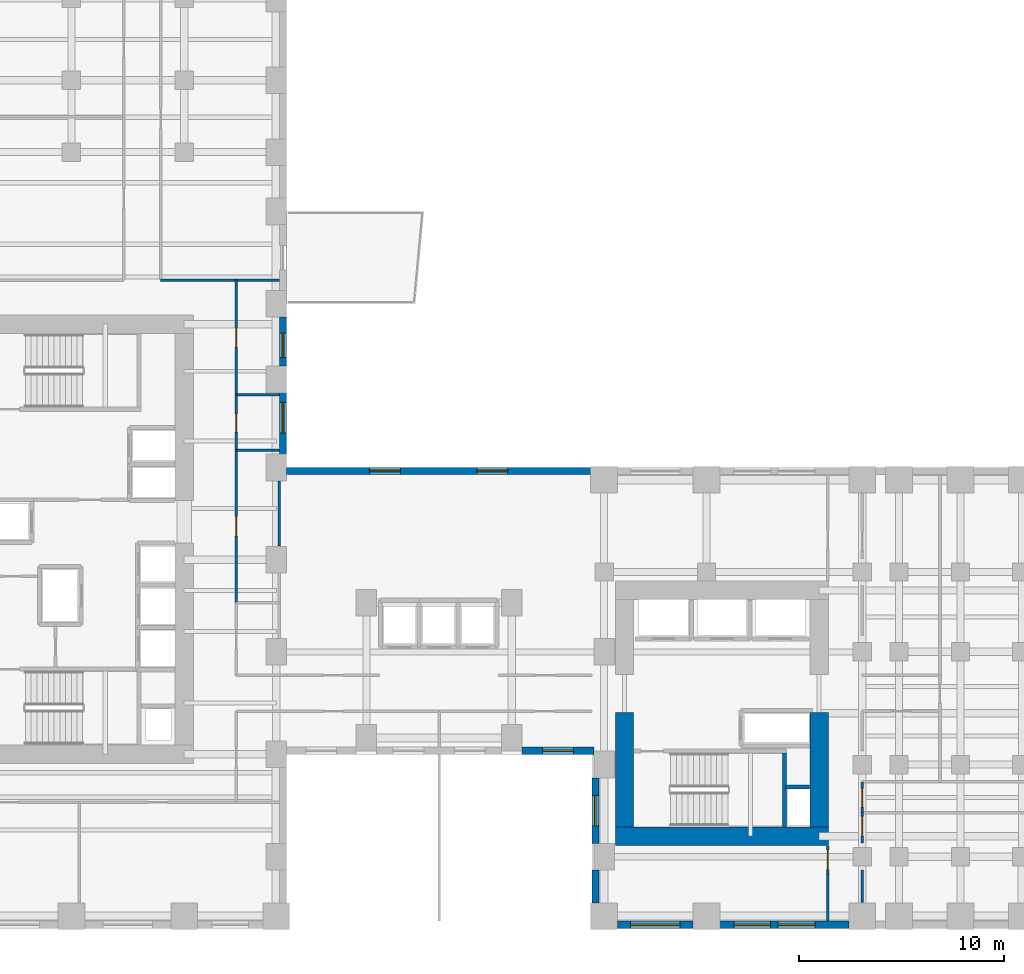
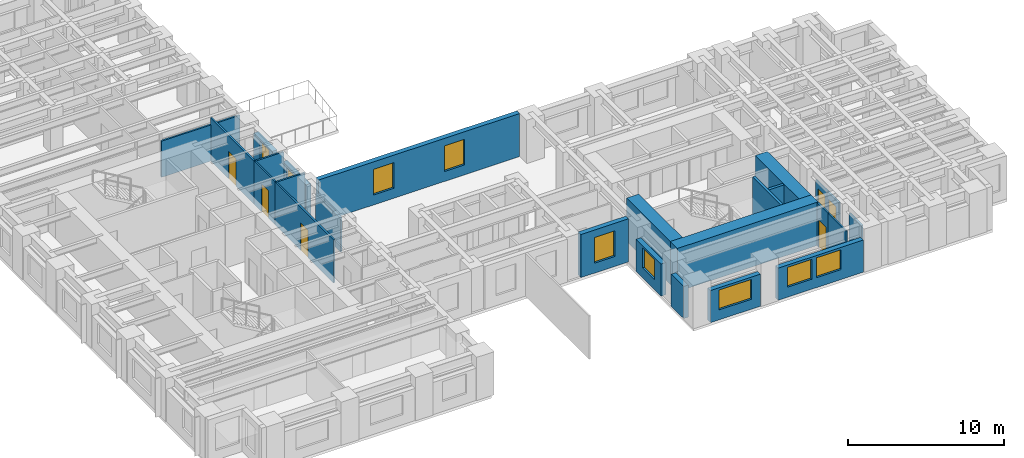
# One storey, part 6 of 11: 25 walls, 9 windows, 6 doors, 15 openings.
"""IFC4 building model written with IfcOpenShell, lengths in metres."""

from ifc_helpers import new_model, si_unit, direction, frame, frame_2d, origin, place, context, subcontext, project, spatial, rectangle, extrude, source, transform, mapped, material, layer, layer_set, type_object, element, fill, save


model = new_model("IFC4")

# Units and contexts
model_context = context("Model", 3, precision=1e-05, world=origin(), true_north=direction((0.0, 1.0)))
body_context = subcontext(model_context, "Body", "Model", "MODEL_VIEW")
ifc_project = project(units=[si_unit("LENGTHUNIT", "METRE"), si_unit("AREAUNIT", "SQUARE_METRE"), si_unit("VOLUMEUNIT", "CUBIC_METRE"), si_unit("PLANEANGLEUNIT", "RADIAN"), si_unit("MASSUNIT", "GRAM", prefix="KILO")], contexts=[model_context])

# Site, building, storey
site_placement = place(None, origin())
site = spatial("IfcSite", under=ifc_project, at=site_placement, CompositionType="ELEMENT")
building_placement = place(site_placement, origin())
building = spatial("IfcBuilding", under=site, at=building_placement, Name="Kharzan Plaza Tower", CompositionType="ELEMENT")
storey_placement = place(building_placement, frame((0.0, 0.0, 40.5)))
storey = spatial("IfcBuildingStorey", under=building, at=storey_placement, Name="L10", CompositionType="ELEMENT", Elevation=40.5)

# Wall, opening, window
ifc_material_1 = material(Name="Concrete C40/50", Category="concrete")
ifc_layer_1 = layer(ifc_material_1, 0.35009765625)
ifc_layer_set_1 = layer_set([ifc_layer_1], Name="Concrete C40/50")
wall_type_1 = type_object("IfcWallType", Name="WL-EXT-MAS-Z1", PredefinedType="SOLIDWALL", material=ifc_layer_set_1)
wall_1_placement = place(storey_placement, frame((30.998046875, 8.675048828125, 0.0), z_axis=(0.0, 0.0, 1.0), x_axis=(1.0, 0.0, 0.0)))
wall_1 = element("IfcWall", 1, at=wall_1_placement, inside=storey, type_object=wall_type_1, Name="L10 Masonry-Frame Exterior Wall 30", PredefinedType="SOLIDWALL", context=body_context, shape_type="SweptSolid", body=[
    extrude(rectangle(XDim=3.50390625, YDim=0.35009765625, at=frame_2d((1.751953125, 0.0))), origin(), (0.0, 0.0, 1.0), 3.364990234375),
])
opening_1_placement = place(wall_1_placement, frame((1.001953125, 0.0, 0.780029296875)))
opening_1 = element("IfcOpeningElement", 2, at=opening_1_placement, cuts=wall_1, Name="Opening W5", PredefinedType="OPENING", context=body_context, shape_type="SweptSolid", body=[
    extrude(rectangle(XDim=1.5, YDim=2.0, at=frame_2d((0.75, 1.0))), frame((0.0, 0.18505859375, 0.0), z_axis=(0.0, -1.0, 0.0), x_axis=(1.0, 0.0, 0.0)), (0.0, 0.0, 1.0), 0.3701171875),
])
ifc_material_2 = material(Name="Low-E Double Glazing", Category="glass")
window_type_1 = type_object("IfcWindowType", Name="WN-SLT-1500x2000", PartitioningType="SINGLE_PANEL", PredefinedType="WINDOW", material=ifc_material_2)
shared_shape_1 = source(origin(), body_context, "Body", "SweptSolid", [
    extrude(rectangle(XDim=1.5, YDim=2.0, at=frame_2d((0.75, 1.0))), frame((0.0, 0.030029296875, 0.0), z_axis=(0.0, -1.0, 0.0), x_axis=(1.0, 0.0, 0.0)), (0.0, 0.0, 1.0), 0.06005859375),
])
window_1_placement = place(opening_1_placement, origin())
window_1 = element("IfcWindow", 3, at=window_1_placement, inside=storey, type_object=window_type_1, Name="L10 Recessed Solar-Control Window 30-1", OverallHeight=2.0, OverallWidth=1.5, PartitioningType="SINGLE_PANEL", PredefinedType="WINDOW", context=body_context, shape_type="MappedRepresentation", body=[
    mapped(shared_shape_1, transform((0.0, 0.0, 0.0), x_axis=(1.0, 0.0, 0.0), y_axis=(0.0, 1.0, 0.0), z_axis=(0.0, 0.0, 1.0))),
])
fill(opening_1, window_1)

wall_2_placement = place(storey_placement, frame((34.574951171875, 7.35205078125, 0.0), z_axis=(0.0, 0.0, 1.0), x_axis=(0.0, -1.0, 0.0)))
wall_2 = element("IfcWall", 4, at=wall_2_placement, inside=storey, type_object=wall_type_1, Name="L10 Masonry-Frame Exterior Wall 31", PredefinedType="SOLIDWALL", context=body_context, shape_type="SweptSolid", body=[
    extrude(rectangle(XDim=3.2041015625, YDim=0.35009765625, at=frame_2d((1.60205078125, 0.0))), origin(), (0.0, 0.0, 1.0), 2.510009765625),
])
opening_2_placement = place(wall_2_placement, frame((0.85205078125, 0.0, 0.780029296875)))
opening_2 = element("IfcOpeningElement", 5, at=opening_2_placement, cuts=wall_2, Name="Opening W5", PredefinedType="OPENING", context=body_context, shape_type="SweptSolid", body=[
    extrude(rectangle(XDim=1.5, YDim=1.550048828125, at=frame_2d((0.75, 0.77490234375))), frame((0.0, 0.18505859375, 0.0), z_axis=(0.0, -1.0, 0.0), x_axis=(1.0, 0.0, 0.0)), (0.0, 0.0, 1.0), 0.3701171875),
])
shared_shape_2 = source(origin(), body_context, "Body", "SweptSolid", [
    extrude(rectangle(XDim=1.5, YDim=1.550048828125, at=frame_2d((0.75, 0.77490234375))), frame((0.0, 0.030029296875, 0.0), z_axis=(0.0, -1.0, 0.0), x_axis=(1.0, 0.0, 0.0)), (0.0, 0.0, 1.0), 0.06005859375),
])
window_2_placement = place(opening_2_placement, origin())
window_2 = element("IfcWindow", 6, at=window_2_placement, inside=storey, type_object=window_type_1, Name="L10 Recessed Solar-Control Window 31-1", OverallHeight=1.550048828125, OverallWidth=1.5, PartitioningType="SINGLE_PANEL", PredefinedType="WINDOW", context=body_context, shape_type="MappedRepresentation", body=[
    mapped(shared_shape_2, transform((0.0, 0.0, 0.0), x_axis=(1.0, 0.0, 0.0), y_axis=(0.0, 1.0, 0.0), z_axis=(0.0, 0.0, 1.0))),
])
fill(opening_2, window_2)

wall_3_placement = place(storey_placement, frame((35.64794921875, 0.175048828125, 0.0), z_axis=(0.0, 0.0, 1.0), x_axis=(1.0, 0.0, 0.0)))
wall_3 = element("IfcWall", 7, at=wall_3_placement, inside=storey, type_object=wall_type_1, Name="L10 Masonry-Frame Exterior Wall 33", PredefinedType="SOLIDWALL", context=body_context, shape_type="SweptSolid", body=[
    extrude(rectangle(XDim=3.7041015625, YDim=0.35009765625, at=frame_2d((1.85205078125, 0.0))), origin(), (0.0, 0.0, 1.0), 2.510009765625),
])
opening_3_placement = place(wall_3_placement, frame((0.652099609375, 0.0, 0.780029296875)))
opening_3 = element("IfcOpeningElement", 8, at=opening_3_placement, cuts=wall_3, Name="Opening W2", PredefinedType="OPENING", context=body_context, shape_type="SweptSolid", body=[
    extrude(rectangle(XDim=2.39990234375, YDim=1.550048828125, at=frame_2d((1.199951171875, 0.77490234375))), frame((0.0, 0.18505859375, 0.0), z_axis=(0.0, -1.0, 0.0), x_axis=(1.0, 0.0, 0.0)), (0.0, 0.0, 1.0), 0.3701171875),
])
window_type_2 = type_object("IfcWindowType", Name="WN-REC-2400x2100", PartitioningType="SINGLE_PANEL", PredefinedType="WINDOW", material=ifc_material_2)
shared_shape_3 = source(origin(), body_context, "Body", "SweptSolid", [
    extrude(rectangle(XDim=2.39990234375, YDim=1.550048828125, at=frame_2d((1.199951171875, 0.77490234375))), frame((0.0, 0.030029296875, 0.0), z_axis=(0.0, -1.0, 0.0), x_axis=(1.0, 0.0, 0.0)), (0.0, 0.0, 1.0), 0.06005859375),
])
window_3_placement = place(opening_3_placement, origin())
window_3 = element("IfcWindow", 9, at=window_3_placement, inside=storey, type_object=window_type_2, Name="L10 Wide Recessed Solar-Control Window 33-1", OverallHeight=1.550048828125, OverallWidth=2.39990234375, PartitioningType="SINGLE_PANEL", PredefinedType="WINDOW", context=body_context, shape_type="MappedRepresentation", body=[
    mapped(shared_shape_3, transform((0.0, 0.0, 0.0), x_axis=(1.0, 0.0, 0.0), y_axis=(0.0, 1.0, 0.0), z_axis=(0.0, 0.0, 1.0))),
])
fill(opening_3, window_3)

# Wall, openings, windows
wall_4_placement = place(storey_placement, frame((40.64794921875, 0.175048828125, 0.0), z_axis=(0.0, 0.0, 1.0), x_axis=(1.0, 0.0, 0.0)))
wall_4 = element("IfcWall", 10, at=wall_4_placement, inside=storey, type_object=wall_type_1, Name="L10 Masonry-Frame Exterior Wall 34", PredefinedType="SOLIDWALL", context=body_context, shape_type="SweptSolid", body=[
    extrude(rectangle(XDim=6.303955078125, YDim=0.35009765625, at=frame_2d((3.15185546875, 0.0))), origin(), (0.0, 0.0, 1.0), 2.510009765625),
])
opening_4_placement = place(wall_4_placement, frame((0.687255859375, 0.0, 0.780029296875)))
opening_4 = element("IfcOpeningElement", 11, at=opening_4_placement, cuts=wall_4, Name="Opening W1", PredefinedType="OPENING", context=body_context, shape_type="SweptSolid", body=[
    extrude(rectangle(XDim=1.800048828125, YDim=1.550048828125, at=frame_2d((0.89990234375, 0.77490234375))), frame((0.0, 0.18505859375, 0.0), z_axis=(0.0, -1.0, 0.0), x_axis=(1.0, 0.0, 0.0)), (0.0, 0.0, 1.0), 0.3701171875),
])
opening_5_placement = place(wall_4_placement, frame((2.854736328125, 0.0, 0.780029296875)))
opening_5 = element("IfcOpeningElement", 12, at=opening_5_placement, cuts=wall_4, Name="Opening W1", PredefinedType="OPENING", context=body_context, shape_type="SweptSolid", body=[
    extrude(rectangle(XDim=1.800048828125, YDim=1.550048828125, at=frame_2d((0.89990234375, 0.77490234375))), frame((0.0, 0.18505859375, 0.0), z_axis=(0.0, -1.0, 0.0), x_axis=(1.0, 0.0, 0.0)), (0.0, 0.0, 1.0), 0.3701171875),
])
window_type_3 = type_object("IfcWindowType", Name="WN-REC-1800x2100", PartitioningType="SINGLE_PANEL", PredefinedType="WINDOW", material=ifc_material_2)
shared_shape_4 = source(origin(), body_context, "Body", "SweptSolid", [
    extrude(rectangle(XDim=1.800048828125, YDim=1.550048828125, at=frame_2d((0.89990234375, 0.77490234375))), frame((0.0, 0.030029296875, 0.0), z_axis=(0.0, -1.0, 0.0), x_axis=(1.0, 0.0, 0.0)), (0.0, 0.0, 1.0), 0.06005859375),
])
window_4_placement = place(opening_4_placement, origin())
window_4 = element("IfcWindow", 13, at=window_4_placement, inside=storey, type_object=window_type_3, Name="L10 Recessed Solar-Control Window 34-1", OverallHeight=1.550048828125, OverallWidth=1.800048828125, PartitioningType="SINGLE_PANEL", PredefinedType="WINDOW", context=body_context, shape_type="MappedRepresentation", body=[
    mapped(shared_shape_4, transform((0.0, 0.0, 0.0), x_axis=(1.0, 0.0, 0.0), y_axis=(0.0, 1.0, 0.0), z_axis=(0.0, 0.0, 1.0))),
])
fill(opening_4, window_4)
window_5_placement = place(opening_5_placement, origin())
window_5 = element("IfcWindow", 14, at=window_5_placement, inside=storey, type_object=window_type_3, Name="L10 Recessed Solar-Control Window 34-2", OverallHeight=1.550048828125, OverallWidth=1.800048828125, PartitioningType="SINGLE_PANEL", PredefinedType="WINDOW", context=body_context, shape_type="MappedRepresentation", body=[
    mapped(shared_shape_4, transform((0.0, 0.0, 0.0), x_axis=(1.0, 0.0, 0.0), y_axis=(0.0, 1.0, 0.0), z_axis=(0.0, 0.0, 1.0))),
])
fill(opening_5, window_5)

wall_5_placement = place(storey_placement, frame((34.35205078125, 22.324951171875, 0.0), z_axis=(0.0, 0.0, 1.0), x_axis=(-1.0, 0.0, 0.0)))
wall_5 = element("IfcWall", 15, at=wall_5_placement, inside=storey, type_object=wall_type_1, Name="L10 Masonry-Frame Exterior Wall 53", PredefinedType="SOLIDWALL", context=body_context, shape_type="SweptSolid", body=[
    extrude(rectangle(XDim=14.85400390625, YDim=0.35009765625, at=frame_2d((7.427001953125, 0.0))), origin(), (0.0, 0.0, 1.0), 3.364990234375),
])
opening_6_placement = place(wall_5_placement, frame((4.05810546875, 0.0, 0.780029296875)))
opening_6 = element("IfcOpeningElement", 16, at=opening_6_placement, cuts=wall_5, Name="Opening W5", PredefinedType="OPENING", context=body_context, shape_type="SweptSolid", body=[
    extrude(rectangle(XDim=1.5, YDim=2.0, at=frame_2d((0.75, 1.0))), frame((0.0, 0.18505859375, 0.0), z_axis=(0.0, -1.0, 0.0), x_axis=(1.0, 0.0, 0.0)), (0.0, 0.0, 1.0), 0.3701171875),
])
opening_7_placement = place(wall_5_placement, frame((9.2958984375, 0.0, 0.780029296875)))
opening_7 = element("IfcOpeningElement", 17, at=opening_7_placement, cuts=wall_5, Name="Opening W5", PredefinedType="OPENING", context=body_context, shape_type="SweptSolid", body=[
    extrude(rectangle(XDim=1.5, YDim=2.0, at=frame_2d((0.75, 1.0))), frame((0.0, 0.18505859375, 0.0), z_axis=(0.0, -1.0, 0.0), x_axis=(1.0, 0.0, 0.0)), (0.0, 0.0, 1.0), 0.3701171875),
])
window_6_placement = place(opening_6_placement, origin())
window_6 = element("IfcWindow", 18, at=window_6_placement, inside=storey, type_object=window_type_1, Name="L10 Recessed Solar-Control Window 53-1", OverallHeight=2.0, OverallWidth=1.5, PartitioningType="SINGLE_PANEL", PredefinedType="WINDOW", context=body_context, shape_type="MappedRepresentation", body=[
    mapped(shared_shape_1, transform((0.0, 0.0, 0.0), x_axis=(1.0, 0.0, 0.0), y_axis=(0.0, 1.0, 0.0), z_axis=(0.0, 0.0, 1.0))),
])
fill(opening_6, window_6)
window_7_placement = place(opening_7_placement, origin())
window_7 = element("IfcWindow", 19, at=window_7_placement, inside=storey, type_object=window_type_1, Name="L10 Recessed Solar-Control Window 53-2", OverallHeight=2.0, OverallWidth=1.5, PartitioningType="SINGLE_PANEL", PredefinedType="WINDOW", context=body_context, shape_type="MappedRepresentation", body=[
    mapped(shared_shape_1, transform((0.0, 0.0, 0.0), x_axis=(1.0, 0.0, 0.0), y_axis=(0.0, 1.0, 0.0), z_axis=(0.0, 0.0, 1.0))),
])
fill(opening_7, window_7)

# Wall, opening, window
wall_6_placement = place(storey_placement, frame((19.324951171875, 23.14794921875, 0.0), z_axis=(0.0, 0.0, 1.0), x_axis=(0.0, 1.0, 0.0)))
wall_6 = element("IfcWall", 20, at=wall_6_placement, inside=storey, type_object=wall_type_1, Name="L10 Masonry-Frame Exterior Wall 54", PredefinedType="SOLIDWALL", context=body_context, shape_type="SweptSolid", body=[
    extrude(rectangle(XDim=3.004150390625, YDim=0.35009765625, at=frame_2d((1.501953125, 0.0))), origin(), (0.0, 0.0, 1.0), 2.510009765625),
])
opening_8_placement = place(wall_6_placement, frame((1.030517578125, 0.0, 0.780029296875)))
opening_8 = element("IfcOpeningElement", 21, at=opening_8_placement, cuts=wall_6, Name="Opening W5", PredefinedType="OPENING", context=body_context, shape_type="SweptSolid", body=[
    extrude(rectangle(XDim=1.5, YDim=1.550048828125, at=frame_2d((0.75, 0.77490234375))), frame((0.0, 0.18505859375, 0.0), z_axis=(0.0, -1.0, 0.0), x_axis=(1.0, 0.0, 0.0)), (0.0, 0.0, 1.0), 0.3701171875),
])
window_8_placement = place(opening_8_placement, origin())
window_8 = element("IfcWindow", 22, at=window_8_placement, inside=storey, type_object=window_type_1, Name="L10 Recessed Solar-Control Window 54-1", OverallHeight=1.550048828125, OverallWidth=1.5, PartitioningType="SINGLE_PANEL", PredefinedType="WINDOW", context=body_context, shape_type="MappedRepresentation", body=[
    mapped(shared_shape_2, transform((0.0, 0.0, 0.0), x_axis=(1.0, 0.0, 0.0), y_axis=(0.0, 1.0, 0.0), z_axis=(0.0, 0.0, 1.0))),
])
fill(opening_8, window_8)

wall_7_placement = place(storey_placement, frame((19.324951171875, 27.447998046875, 0.0), z_axis=(0.0, 0.0, 1.0), x_axis=(0.0, 1.0, 0.0)))
wall_7 = element("IfcWall", 23, at=wall_7_placement, inside=storey, type_object=wall_type_1, Name="L10 Masonry-Frame Exterior Wall 55", PredefinedType="SOLIDWALL", context=body_context, shape_type="SweptSolid", body=[
    extrude(rectangle(XDim=2.404052734375, YDim=0.35009765625, at=frame_2d((1.2021484375, 0.0))), origin(), (0.0, 0.0, 1.0), 2.510009765625),
])
opening_9_placement = place(wall_7_placement, frame((0.417236328125, 0.0, 0.780029296875)))
opening_9 = element("IfcOpeningElement", 24, at=opening_9_placement, cuts=wall_7, Name="Opening W3", PredefinedType="OPENING", context=body_context, shape_type="SweptSolid", body=[
    extrude(rectangle(XDim=1.199951171875, YDim=1.550048828125, at=frame_2d((0.60009765625, 0.77490234375))), frame((0.0, 0.18505859375, 0.0), z_axis=(0.0, -1.0, 0.0), x_axis=(1.0, 0.0, 0.0)), (0.0, 0.0, 1.0), 0.3701171875),
])
window_type_4 = type_object("IfcWindowType", Name="WN-REC-1200x2100", PartitioningType="SINGLE_PANEL", PredefinedType="WINDOW", material=ifc_material_2)
shared_shape_5 = source(origin(), body_context, "Body", "SweptSolid", [
    extrude(rectangle(XDim=1.199951171875, YDim=1.550048828125, at=frame_2d((0.60009765625, 0.77490234375))), frame((0.0, 0.030029296875, 0.0), z_axis=(0.0, -1.0, 0.0), x_axis=(1.0, 0.0, 0.0)), (0.0, 0.0, 1.0), 0.06005859375),
])
window_9_placement = place(opening_9_placement, origin())
window_9 = element("IfcWindow", 25, at=window_9_placement, inside=storey, type_object=window_type_4, Name="L10 Recessed Solar-Control Window 55-1", OverallHeight=1.550048828125, OverallWidth=1.199951171875, PartitioningType="SINGLE_PANEL", PredefinedType="WINDOW", context=body_context, shape_type="MappedRepresentation", body=[
    mapped(shared_shape_5, transform((0.0, 0.0, 0.0), x_axis=(1.0, 0.0, 0.0), y_axis=(0.0, 1.0, 0.0), z_axis=(0.0, 0.0, 1.0))),
])
fill(opening_9, window_9)

# Wall, opening, door
ifc_material_3 = material(Name="Fire-Rated Gypsum Board Partition", Category="gypsum")
ifc_layer_2 = layer(ifc_material_3, 0.125)
ifc_layer_set_2 = layer_set([ifc_layer_2], Name="Fire-Rated Gypsum Board Partition")
wall_type_2 = type_object("IfcWallType", Name="WL-INT-PART-125", PredefinedType="PARTITIONING", material=ifc_layer_set_2)
wall_8_placement = place(storey_placement, frame((17.050048828125, 15.89990234375, 0.0), z_axis=(0.0, 0.0, 1.0), x_axis=(0.0, 1.0, 0.0)))
wall_8 = element("IfcWall", 26, at=wall_8_placement, inside=storey, type_object=wall_type_2, Name="L10 Interior Partition SH-AEWN2", PredefinedType="PARTITIONING", context=body_context, shape_type="SweptSolid", body=[
    extrude(rectangle(XDim=7.4501953125, YDim=0.125, at=frame_2d((3.72509765625, 0.0))), origin(), (0.0, 0.0, 1.0), 3.364990234375),
])
opening_10_placement = place(wall_8_placement, frame((3.25, 0.0, 0.0)))
opening_10 = element("IfcOpeningElement", 27, at=opening_10_placement, cuts=wall_8, Name="Opening OD1", PredefinedType="OPENING", context=body_context, shape_type="SweptSolid", body=[
    extrude(rectangle(XDim=0.949951171875, YDim=2.14990234375, at=frame_2d((0.47509765625, 1.074951171875))), frame((0.0, 0.072509765625, 0.0), z_axis=(0.0, -1.0, 0.0), x_axis=(1.0, 0.0, 0.0)), (0.0, 0.0, 1.0), 0.14501953125),
])
ifc_material_4 = material(Name="Acoustic Solid-Core Stained Oak", Category="timber")
door_type_1 = type_object("IfcDoorType", Name="DR-OFF-SINGLE", OperationType="NOTDEFINED", PredefinedType="DOOR", material=ifc_material_4)
shared_shape_6 = source(origin(), body_context, "Body", "SweptSolid", [
    extrude(rectangle(XDim=0.949951171875, YDim=2.14990234375, at=frame_2d((0.47509765625, 1.074951171875))), frame((0.0, 0.02490234375, 0.0), z_axis=(0.0, -1.0, 0.0), x_axis=(1.0, 0.0, 0.0)), (0.0, 0.0, 1.0), 0.050048828125),
])
door_1_placement = place(opening_10_placement, origin())
door_1 = element("IfcDoor", 28, at=door_1_placement, inside=storey, type_object=door_type_1, Name="L10 Slot Studio Door", OperationType="SINGLE_SWING_RIGHT", OverallHeight=2.14990234375, OverallWidth=0.949951171875, PredefinedType="DOOR", context=body_context, shape_type="MappedRepresentation", body=[
    mapped(shared_shape_6, transform((0.0, 0.0, 0.0), x_axis=(1.0, 0.0, 0.0), y_axis=(0.0, 1.0, 0.0), z_axis=(0.0, 0.0, 1.0))),
])
fill(opening_10, door_1)

wall_9_placement = place(storey_placement, frame((17.050048828125, 26.050048828125, 0.0), z_axis=(0.0, 0.0, 1.0), x_axis=(0.0, 1.0, 0.0)))
wall_9 = element("IfcWall", 29, at=wall_9_placement, inside=storey, type_object=wall_type_2, Name="L10 Interior Partition SH-AEWN3", PredefinedType="PARTITIONING", context=body_context, shape_type="SweptSolid", body=[
    extrude(rectangle(XDim=5.599853515625, YDim=0.125, at=frame_2d((2.7998046875, 0.0))), origin(), (0.0, 0.0, 1.0), 3.364990234375),
])
opening_11_placement = place(wall_9_placement, frame((2.324951171875, 0.0, 0.0)))
opening_11 = element("IfcOpeningElement", 30, at=opening_11_placement, cuts=wall_9, Name="Opening OD1", PredefinedType="OPENING", context=body_context, shape_type="SweptSolid", body=[
    extrude(rectangle(XDim=0.949951171875, YDim=2.14990234375, at=frame_2d((0.47509765625, 1.074951171875))), frame((0.0, 0.072509765625, 0.0), z_axis=(0.0, -1.0, 0.0), x_axis=(1.0, 0.0, 0.0)), (0.0, 0.0, 1.0), 0.14501953125),
])
door_2_placement = place(opening_11_placement, origin())
door_2 = element("IfcDoor", 31, at=door_2_placement, inside=storey, type_object=door_type_1, Name="L10 Staff Tea Point Door", OperationType="SINGLE_SWING_RIGHT", OverallHeight=2.14990234375, OverallWidth=0.949951171875, PredefinedType="DOOR", context=body_context, shape_type="MappedRepresentation", body=[
    mapped(shared_shape_6, transform((0.0, 0.0, 0.0), x_axis=(1.0, 0.0, 0.0), y_axis=(0.0, 1.0, 0.0), z_axis=(0.0, 0.0, 1.0))),
])
fill(opening_11, door_2)

wall_10_placement = place(storey_placement, frame((17.050048828125, 23.35009765625, 0.0), z_axis=(0.0, 0.0, 1.0), x_axis=(0.0, 1.0, 0.0)))
wall_10 = element("IfcWall", 32, at=wall_10_placement, inside=storey, type_object=wall_type_2, Name="L10 Interior Partition SH-AEWW", PredefinedType="PARTITIONING", context=body_context, shape_type="SweptSolid", body=[
    extrude(rectangle(XDim=2.699951171875, YDim=0.125, at=frame_2d((1.35009765625, 0.0))), origin(), (0.0, 0.0, 1.0), 3.364990234375),
])
opening_12_placement = place(wall_10_placement, frame((0.875, 0.0, 0.0)))
opening_12 = element("IfcOpeningElement", 33, at=opening_12_placement, cuts=wall_10, Name="Opening WD1", PredefinedType="OPENING", context=body_context, shape_type="SweptSolid", body=[
    extrude(rectangle(XDim=0.89990234375, YDim=2.14990234375, at=frame_2d((0.449951171875, 1.074951171875))), frame((0.0, 0.072509765625, 0.0), z_axis=(0.0, -1.0, 0.0), x_axis=(1.0, 0.0, 0.0)), (0.0, 0.0, 1.0), 0.14501953125),
])
ifc_material_5 = material(Name="Moisture-Resistant Fire-Rated Laminate", Category="timber")
door_type_2 = type_object("IfcDoorType", Name="DR-WC-900", OperationType="NOTDEFINED", PredefinedType="DOOR", material=ifc_material_5)
shared_shape_7 = source(origin(), body_context, "Body", "SweptSolid", [
    extrude(rectangle(XDim=0.89990234375, YDim=2.14990234375, at=frame_2d((0.449951171875, 1.074951171875))), frame((0.0, 0.02490234375, 0.0), z_axis=(0.0, -1.0, 0.0), x_axis=(1.0, 0.0, 0.0)), (0.0, 0.0, 1.0), 0.050048828125),
])
door_3_placement = place(opening_12_placement, origin())
door_3 = element("IfcDoor", 34, at=door_3_placement, inside=storey, type_object=door_type_2, Name="L10 Wing A Washroom Door", OperationType="SINGLE_SWING_LEFT", OverallHeight=2.14990234375, OverallWidth=0.89990234375, PredefinedType="DOOR", context=body_context, shape_type="MappedRepresentation", body=[
    mapped(shared_shape_7, transform((0.0, 0.0, 0.0), x_axis=(1.0, 0.0, 0.0), y_axis=(0.0, 1.0, 0.0), z_axis=(0.0, 0.0, 1.0))),
])
fill(opening_12, door_3)

wall_11_placement = place(storey_placement, frame((47.60009765625, 4.159912109375, 0.0), z_axis=(0.0, 0.0, 1.0), x_axis=(0.0, 1.0, 0.0)))
wall_11 = element("IfcWall", 35, at=wall_11_placement, inside=storey, type_object=wall_type_2, Name="L10 Interior Partition SH-B2W0", PredefinedType="PARTITIONING", context=body_context, shape_type="SweptSolid", body=[
    extrude(rectangle(XDim=1.489990234375, YDim=0.125, at=frame_2d((0.7451171875, 0.0))), origin(), (0.0, 0.0, 1.0), 2.669921875),
])
opening_13_placement = place(wall_11_placement, frame((0.360107421875, 0.0, 0.0)))
opening_13 = element("IfcOpeningElement", 36, at=opening_13_placement, cuts=wall_11, Name="Opening OD1", PredefinedType="OPENING", context=body_context, shape_type="SweptSolid", body=[
    extrude(rectangle(XDim=0.949951171875, YDim=2.14990234375, at=frame_2d((0.47509765625, 1.074951171875))), frame((0.0, 0.072509765625, 0.0), z_axis=(0.0, -1.0, 0.0), x_axis=(1.0, 0.0, 0.0)), (0.0, 0.0, 1.0), 0.14501953125),
])
door_4_placement = place(opening_13_placement, origin())
door_4 = element("IfcDoor", 37, at=door_4_placement, inside=storey, type_object=door_type_1, Name="L10 Wing B South Office Door", OperationType="SINGLE_SWING_RIGHT", OverallHeight=2.14990234375, OverallWidth=0.949951171875, PredefinedType="DOOR", context=body_context, shape_type="MappedRepresentation", body=[
    mapped(shared_shape_6, transform((0.0, 0.0, 0.0), x_axis=(1.0, 0.0, 0.0), y_axis=(0.0, 1.0, 0.0), z_axis=(0.0, 0.0, 1.0))),
])
fill(opening_13, door_4)

wall_12_placement = place(storey_placement, frame((47.60009765625, 5.64990234375, 0.0), z_axis=(0.0, 0.0, 1.0), x_axis=(0.0, 1.0, 0.0)))
wall_12 = element("IfcWall", 38, at=wall_12_placement, inside=storey, type_object=wall_type_2, Name="L10 Interior Partition SH-B2WC", PredefinedType="PARTITIONING", context=body_context, shape_type="SweptSolid", body=[
    extrude(rectangle(XDim=1.5, YDim=0.125, at=frame_2d((0.75, 0.0))), origin(), (0.0, 0.0, 1.0), 2.669921875),
])
opening_14_placement = place(wall_12_placement, frame((0.27490234375, 0.0, 0.0)))
opening_14 = element("IfcOpeningElement", 39, at=opening_14_placement, cuts=wall_12, Name="Opening WD1", PredefinedType="OPENING", context=body_context, shape_type="SweptSolid", body=[
    extrude(rectangle(XDim=0.89990234375, YDim=2.14990234375, at=frame_2d((0.449951171875, 1.074951171875))), frame((0.0, 0.072509765625, 0.0), z_axis=(0.0, -1.0, 0.0), x_axis=(1.0, 0.0, 0.0)), (0.0, 0.0, 1.0), 0.14501953125),
])
door_5_placement = place(opening_14_placement, origin())
door_5 = element("IfcDoor", 40, at=door_5_placement, inside=storey, type_object=door_type_2, Name="L10 Wing B Washroom Door", OperationType="SINGLE_SWING_LEFT", OverallHeight=2.14990234375, OverallWidth=0.89990234375, PredefinedType="DOOR", context=body_context, shape_type="MappedRepresentation", body=[
    mapped(shared_shape_7, transform((0.0, 0.0, 0.0), x_axis=(1.0, 0.0, 0.0), y_axis=(0.0, 1.0, 0.0), z_axis=(0.0, 0.0, 1.0))),
])
fill(opening_14, door_5)

wall_13_placement = place(storey_placement, frame((45.919921875, 2.64990234375, 0.0), z_axis=(0.0, 0.0, 1.0), x_axis=(0.0, 1.0, 0.0)))
wall_13 = element("IfcWall", 41, at=wall_13_placement, inside=storey, type_object=wall_type_2, Name="L10 Interior Partition SH-RBSE", PredefinedType="PARTITIONING", context=body_context, shape_type="SweptSolid", body=[
    extrude(rectangle(XDim=1.3701171875, YDim=0.125, at=frame_2d((0.68505859375, 0.0))), origin(), (0.0, 0.0, 1.0), 3.364990234375),
])
opening_15_placement = place(wall_13_placement, frame((0.22509765625, 0.0, 0.0)))
opening_15 = element("IfcOpeningElement", 42, at=opening_15_placement, cuts=wall_13, Name="Opening OD1", PredefinedType="OPENING", context=body_context, shape_type="SweptSolid", body=[
    extrude(rectangle(XDim=0.949951171875, YDim=2.14990234375, at=frame_2d((0.47509765625, 1.074951171875))), frame((0.0, 0.072509765625, 0.0), z_axis=(0.0, -1.0, 0.0), x_axis=(1.0, 0.0, 0.0)), (0.0, 0.0, 1.0), 0.14501953125),
])
door_6_placement = place(opening_15_placement, origin())
door_6 = element("IfcDoor", 43, at=door_6_placement, inside=storey, type_object=door_type_1, Name="L10 South-East Corner Office Door", OperationType="SINGLE_SWING_LEFT", OverallHeight=2.14990234375, OverallWidth=0.949951171875, PredefinedType="DOOR", context=body_context, shape_type="MappedRepresentation", body=[
    mapped(shared_shape_6, transform((0.0, 0.0, 0.0), x_axis=(1.0, 0.0, 0.0), y_axis=(0.0, 1.0, 0.0), z_axis=(0.0, 0.0, 1.0))),
])
fill(opening_15, door_6)

# Walls
ifc_material_6 = material(Name="Concrete C60/75", Category="concrete")
ifc_layer_3 = layer(ifc_material_6, 0.89990234375)
ifc_layer_set_3 = layer_set([ifc_layer_3], Name="Concrete C60/75")
wall_type_3 = type_object("IfcWallType", Name="WL-CORE-900", PredefinedType="SHEAR", material=ifc_layer_set_3)
shared_shape_8 = source(origin(), body_context, "Body", "SweptSolid", [
    extrude(rectangle(XDim=5.60009765625, YDim=0.89990234375, at=frame_2d((2.800048828125, 0.0))), origin(), (0.0, 0.0, 1.0), 3.3798828125),
])
for number, where, z_axis, x_axis, name in (
    (44, (45.5, 4.949951171875, 0.0), (0.0, 0.0, 1.0), (0.0, 1.0, 0.0), "L10 CORE-B east shear pier 1"),
    (45, (36.0, 4.949951171875, 0.0), (0.0, 0.0, 1.0), (0.0, 1.0, 0.0), "L10 CORE-B west shear pier 1"),
):
    element("IfcWall", number, at=place(storey_placement, frame(where, z_axis=z_axis, x_axis=x_axis)), inside=storey, type_object=wall_type_3, Name=name, PredefinedType="SHEAR", context=body_context, shape_type="MappedRepresentation", body=[
        mapped(shared_shape_8, transform((0.0, 0.0, 0.0), x_axis=(1.0, 0.0, 0.0), y_axis=(0.0, 1.0, 0.0), z_axis=(0.0, 0.0, 1.0))),
    ])
shared_shape_9 = source(origin(), body_context, "Body", "SweptSolid", [
    extrude(rectangle(XDim=10.39990234375, YDim=0.89990234375, at=frame_2d((5.199951171875, 0.0))), origin(), (0.0, 0.0, 1.0), 3.3798828125),
])
wall_14_placement = place(storey_placement, frame((35.550048828125, 4.5, 0.0), z_axis=(0.0, 0.0, 1.0), x_axis=(1.0, 0.0, 0.0)))
element("IfcWall", 46, at=wall_14_placement, inside=storey, type_object=wall_type_3, Name="L10 CORE-B south RC shear wall", PredefinedType="SHEAR", context=body_context, shape_type="MappedRepresentation", body=[
    mapped(shared_shape_9, transform((0.0, 0.0, 0.0), x_axis=(1.0, 0.0, 0.0), y_axis=(0.0, 1.0, 0.0), z_axis=(0.0, 0.0, 1.0))),
])
shared_shape_10 = source(origin(), body_context, "Body", "SweptSolid", [
    extrude(rectangle(XDim=1.60400390625, YDim=0.35009765625, at=frame_2d((0.802001953125, 0.0))), origin(), (0.0, 0.0, 1.0), 2.510009765625),
])
wall_15_placement = place(storey_placement, frame((34.574951171875, 2.85205078125, 0.0), z_axis=(0.0, 0.0, 1.0), x_axis=(0.0, -1.0, 0.0)))
element("IfcWall", 47, at=wall_15_placement, inside=storey, type_object=wall_type_1, Name="L10 Masonry-Frame Exterior Wall 32", PredefinedType="SOLIDWALL", context=body_context, shape_type="MappedRepresentation", body=[
    mapped(shared_shape_10, transform((0.0, 0.0, 0.0), x_axis=(1.0, 0.0, 0.0), y_axis=(0.0, 1.0, 0.0), z_axis=(0.0, 0.0, 1.0))),
])
shared_shape_11 = source(origin(), body_context, "Body", "SweptSolid", [
    extrude(rectangle(XDim=3.18017578125, YDim=0.125, at=frame_2d((1.590087890625, 0.0))), origin(), (0.0, 0.0, 1.0), 2.669921875),
])
wall_16_placement = place(storey_placement, frame((19.14990234375, 18.659912109375, 0.0), z_axis=(0.0, 0.0, 1.0), x_axis=(0.0, 1.0, 0.0)))
element("IfcWall", 48, at=wall_16_placement, inside=storey, type_object=wall_type_2, Name="L10 Interior Partition SH-AEN-DIV-S2", PredefinedType="PARTITIONING", context=body_context, shape_type="MappedRepresentation", body=[
    mapped(shared_shape_11, transform((0.0, 0.0, 0.0), x_axis=(1.0, 0.0, 0.0), y_axis=(0.0, 1.0, 0.0), z_axis=(0.0, 0.0, 1.0))),
])
shared_shape_12 = source(origin(), body_context, "Body", "SweptSolid", [
    extrude(rectangle(XDim=1.580078125, YDim=0.125, at=frame_2d((0.7900390625, 0.0))), origin(), (0.0, 0.0, 1.0), 2.669921875),
])
wall_17_placement = place(storey_placement, frame((47.60009765625, 1.260009765625, 0.0), z_axis=(0.0, 0.0, 1.0), x_axis=(0.0, 1.0, 0.0)))
element("IfcWall", 49, at=wall_17_placement, inside=storey, type_object=wall_type_2, Name="L10 Interior Partition SH-B2W0S", PredefinedType="PARTITIONING", context=body_context, shape_type="MappedRepresentation", body=[
    mapped(shared_shape_12, transform((0.0, 0.0, 0.0), x_axis=(1.0, 0.0, 0.0), y_axis=(0.0, 1.0, 0.0), z_axis=(0.0, 0.0, 1.0))),
])
shared_shape_13 = source(origin(), body_context, "Body", "SweptSolid", [
    extrude(rectangle(XDim=2.2978515625, YDim=0.125, at=frame_2d((1.14892578125, 0.0))), origin(), (0.0, 0.0, 1.0), 3.364990234375),
])
wall_18_placement = place(storey_placement, frame((45.919921875, 0.35205078125, 0.0), z_axis=(0.0, 0.0, 1.0), x_axis=(0.0, 1.0, 0.0)))
element("IfcWall", 50, at=wall_18_placement, inside=storey, type_object=wall_type_2, Name="L10 Interior Partition SH-RBSE0", PredefinedType="PARTITIONING", context=body_context, shape_type="MappedRepresentation", body=[
    mapped(shared_shape_13, transform((0.0, 0.0, 0.0), x_axis=(1.0, 0.0, 0.0), y_axis=(0.0, 1.0, 0.0), z_axis=(0.0, 0.0, 1.0))),
])
ifc_layer_4 = layer(ifc_material_1, 0.199951171875)
ifc_layer_set_4 = layer_set([ifc_layer_4], Name="Concrete C40/50")
wall_type_4 = type_object("IfcWallType", Name="WL-INT-SHAFT-200", PredefinedType="PARTITIONING", material=ifc_layer_set_4)
shared_shape_14 = source(origin(), body_context, "Body", "SweptSolid", [
    extrude(rectangle(XDim=1.169921875, YDim=0.199951171875, at=frame_2d((0.5849609375, 0.0))), origin(), (0.0, 0.0, 1.0), 3.364990234375),
])
wall_19_placement = place(storey_placement, frame((43.85009765625, 6.89990234375, 0.0), z_axis=(0.0, 0.0, 1.0), x_axis=(1.0, 0.0, 0.0)))
element("IfcWall", 51, at=wall_19_placement, inside=storey, type_object=wall_type_4, Name="L10 Interior Partition CB-RSRB-N", PredefinedType="PARTITIONING", context=body_context, shape_type="MappedRepresentation", body=[
    mapped(shared_shape_14, transform((0.0, 0.0, 0.0), x_axis=(1.0, 0.0, 0.0), y_axis=(0.0, 1.0, 0.0), z_axis=(0.0, 0.0, 1.0))),
])
ifc_material_7 = material(Name="Concrete C50/60", Category="concrete")
ifc_layer_5 = layer(ifc_material_7, 0.199951171875)
ifc_layer_set_5 = layer_set([ifc_layer_5], Name="Concrete C50/60")
wall_type_5 = type_object("IfcWallType", Name="WL-SHAFT-RC200", PredefinedType="SHEAR", material=ifc_layer_set_5)
shared_shape_15 = source(origin(), body_context, "Body", "SweptSolid", [
    extrude(rectangle(XDim=3.60302734375, YDim=0.199951171875, at=frame_2d((1.801513671875, 0.0))), origin(), (0.0, 0.0, 1.0), 3.3798828125),
])
wall_20_placement = place(storey_placement, frame((43.804931640625, 4.951904296875, 0.0), z_axis=(0.0, 0.0, 1.0), x_axis=(0.0, 1.0, 0.0)))
element("IfcWall", 52, at=wall_20_placement, inside=storey, type_object=wall_type_5, Name="L10 Stair ST-3 East RC Shaft Wall", PredefinedType="SHEAR", context=body_context, shape_type="MappedRepresentation", body=[
    mapped(shared_shape_15, transform((0.0, 0.0, 0.0), x_axis=(1.0, 0.0, 0.0), y_axis=(0.0, 1.0, 0.0), z_axis=(0.0, 0.0, 1.0))),
])
shared_shape_16 = source(origin(), body_context, "Body", "SweptSolid", [
    extrude(rectangle(XDim=2.097900390625, YDim=0.125, at=frame_2d((1.048828125, 0.0))), origin(), (0.0, 0.0, 1.0), 3.364990234375),
])
for number, where, z_axis, x_axis, name in (
    (53, (17.050048828125, 23.35009765625, 0.0), (0.0, 0.0, 1.0), (1.0, 0.0, 0.0), "L10 Interior Partition SH-AEH-233"),
    (54, (17.050048828125, 26.050048828125, 0.0), (0.0, 0.0, 1.0), (1.0, 0.0, 0.0), "L10 Interior Partition SH-AEH-260"),
):
    element("IfcWall", number, at=place(storey_placement, frame(where, z_axis=z_axis, x_axis=x_axis)), inside=storey, type_object=wall_type_2, Name=name, PredefinedType="PARTITIONING", context=body_context, shape_type="MappedRepresentation", body=[
        mapped(shared_shape_16, transform((0.0, 0.0, 0.0), x_axis=(1.0, 0.0, 0.0), y_axis=(0.0, 1.0, 0.0), z_axis=(0.0, 0.0, 1.0))),
    ])
shared_shape_17 = source(origin(), body_context, "Body", "SweptSolid", [
    extrude(rectangle(XDim=5.7978515625, YDim=0.125, at=frame_2d((2.89892578125, 0.0))), origin(), (0.0, 0.0, 1.0), 2.827880859375),
])
wall_21_placement = place(storey_placement, frame((13.35009765625, 31.64990234375, 0.0), z_axis=(0.0, 0.0, 1.0), x_axis=(1.0, 0.0, 0.0)))
element("IfcWall", 55, at=wall_21_placement, inside=storey, type_object=wall_type_2, Name="L10 Interior Partition SH-NNE", PredefinedType="PARTITIONING", context=body_context, shape_type="MappedRepresentation", body=[
    mapped(shared_shape_17, transform((0.0, 0.0, 0.0), x_axis=(1.0, 0.0, 0.0), y_axis=(0.0, 1.0, 0.0), z_axis=(0.0, 0.0, 1.0))),
])

save(model, "model.ifc")
